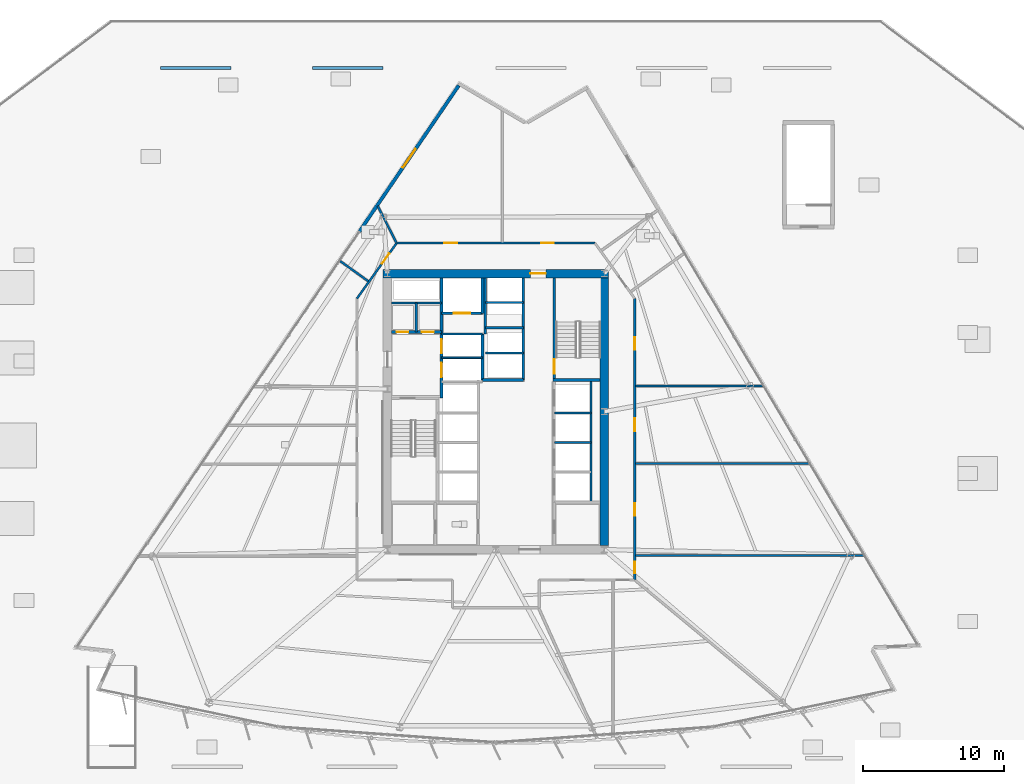
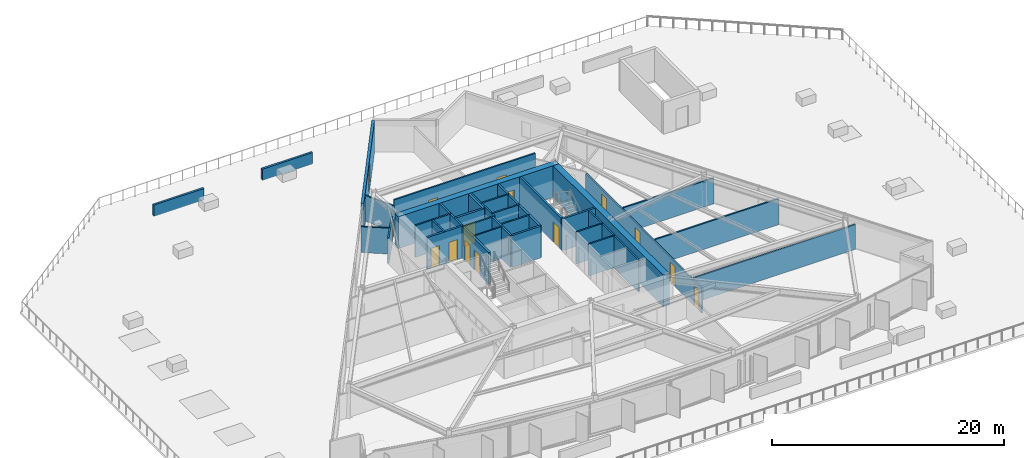
# One storey, part 9 of 19: 33 walls, 14 doors, 1 window, 15 openings.
"""IFC4 building model written with IfcOpenShell, lengths in metres."""

from ifc_helpers import new_model, si_unit, direction, frame, frame_2d, origin, place, context, subcontext, project, spatial, rectangle, extrude, material, layer, layer_set, type_object, element, fill, save


model = new_model("IFC4")

# Units and contexts
model_context = context("Model", 3, precision=1e-05, world=origin(), true_north=direction((0.0, 1.0)))
body_context = subcontext(model_context, "Body", "Model", "MODEL_VIEW")
ifc_project = project(units=[si_unit("LENGTHUNIT", "METRE"), si_unit("AREAUNIT", "SQUARE_METRE"), si_unit("VOLUMEUNIT", "CUBIC_METRE"), si_unit("PLANEANGLEUNIT", "RADIAN"), si_unit("MASSUNIT", "GRAM", prefix="KILO")], contexts=[model_context])

# Site, building, storey
site_placement = place(None, origin())
site = spatial("IfcSite", under=ifc_project, at=site_placement, CompositionType="ELEMENT")
building_placement = place(site_placement, origin())
building = spatial("IfcBuilding", under=site, at=building_placement, Name="Savorim Split Tower", CompositionType="ELEMENT")
storey_placement = place(building_placement, frame((0.0, 0.0, 26.39990234375)))
storey = spatial("IfcBuildingStorey", under=building, at=storey_placement, Name="L06", CompositionType="ELEMENT", Elevation=26.39990234375)

# Wall, opening, door
ifc_material_1 = material(Name="Concrete C60/75", Category="concrete")
ifc_layer_1 = layer(ifc_material_1, 0.60009765625)
ifc_layer_set_1 = layer_set([ifc_layer_1], Name="WAL-COR-SH600")
wall_type_1 = type_object("IfcWallType", Name="WAL-COR-SH600", PredefinedType="SHEAR", material=ifc_layer_set_1)
wall_1_placement = place(storey_placement, frame((8.0, 10.199951171875, 0.0), z_axis=(0.0, 0.0, 1.0), x_axis=(-1.0, 0.0, 0.0)))
wall_1 = element("IfcWall", 1, at=wall_1_placement, inside=storey, type_object=wall_type_1, Name="L06 Offset Core North Shear Wall", PredefinedType="SHEAR", context=body_context, shape_type="SweptSolid", body=[
    extrude(rectangle(XDim=16.0, YDim=0.60009765625, at=frame_2d((8.0, 0.0))), origin(), (0.0, 0.0, 1.0), 3.35009765625),
])
opening_1_placement = place(wall_1_placement, frame((4.449951171875, 0.0, 0.0)))
opening_1 = element("IfcOpeningElement", 2, at=opening_1_placement, cuts=wall_1, Name="Opening DI-03", PredefinedType="OPENING", context=body_context, shape_type="SweptSolid", body=[
    extrude(rectangle(XDim=1.10009765625, YDim=2.14990234375, at=frame_2d((0.550048828125, 1.074951171875))), frame((0.0, 0.31005859375, 0.0), z_axis=(0.0, -1.0, 0.0), x_axis=(1.0, 0.0, 0.0)), (0.0, 0.0, 1.0), 0.6201171875),
])
ifc_material_2 = material(Name="Timber Fire Door Leaf", Category="wood")
door_type_1 = type_object("IfcDoorType", Name="DOR-FIR-1100", OperationType="NOTDEFINED", PredefinedType="DOOR", material=ifc_material_2)
door_1_placement = place(opening_1_placement, origin())
door_1 = element("IfcDoor", 3, at=door_1_placement, inside=storey, type_object=door_type_1, Name="DOR-L06-COR-NLOB - L06 North Corridor Lobby Fire Door", OperationType="SINGLE_SWING_LEFT", OverallHeight=2.14990234375, OverallWidth=1.10009765625, PredefinedType="DOOR", context=body_context, shape_type="SweptSolid", body=[
    extrude(rectangle(XDim=1.10009765625, YDim=2.14990234375, at=frame_2d((0.550048828125, 1.074951171875))), frame((0.0, 0.02490234375, 0.0), z_axis=(0.0, -1.0, 0.0), x_axis=(1.0, 0.0, 0.0)), (0.0, 0.0, 1.0), 0.050048828125),
])
fill(opening_1, door_1)

# Wall
wall_2_placement = place(storey_placement, frame((7.699951171875, 9.89990234375, 0.0), z_axis=(0.0, 0.0, 1.0), x_axis=(0.0, -1.0, 0.0)))
element("IfcWall", 4, at=wall_2_placement, inside=storey, type_object=wall_type_1, Name="L06 Offset Core East Shear Wall", PredefinedType="SHEAR", context=body_context, shape_type="SweptSolid", body=[
    extrude(rectangle(XDim=19.0, YDim=0.60009765625, at=frame_2d((9.5, 0.0))), origin(), (0.0, 0.0, 1.0), 3.35009765625),
])

# Wall, opening, window
ifc_material_3 = material(Name="Precast concrete C40/50", Category="concrete")
ifc_layer_2 = layer(ifc_material_3, 0.25)
ifc_layer_set_2 = layer_set([ifc_layer_2], Name="WAL-EXT-SPN250")
wall_type_2 = type_object("IfcWallType", Name="WAL-EXT-SPN250", PredefinedType="SOLIDWALL", material=ifc_layer_set_2)
wall_3_placement = place(storey_placement, frame((-9.68408203125, 13.19091796875, 0.0), z_axis=(0.0, 0.0, 1.0), x_axis=(0.562473549685, 0.826815279192, 0.0)))
wall_3 = element("IfcWall", 5, at=wall_3_placement, inside=storey, type_object=wall_type_2, Name="L06 West Operable Window Pier", PredefinedType="SOLIDWALL", context=body_context, shape_type="SweptSolid", body=[
    extrude(rectangle(XDim=12.53564453125, YDim=0.25, at=frame_2d((6.267822265625, 0.0))), origin(), (0.0, 0.0, 1.0), 3.35009765625),
])
opening_2_placement = place(wall_3_placement, frame((5.468017578125, 0.0, 0.6201171875)))
opening_2 = element("IfcOpeningElement", 6, at=opening_2_placement, cuts=wall_3, Name="Opening WN-05", PredefinedType="OPENING", context=body_context, shape_type="SweptSolid", body=[
    extrude(rectangle(XDim=1.60009765625, YDim=2.10009765625, at=frame_2d((0.800048828125, 1.050048828125))), frame((0.0, 0.135009765625, 0.0), z_axis=(0.0, -1.0, 0.0), x_axis=(1.0, 0.0, 0.0)), (0.0, 0.0, 1.0), 0.27001953125),
])
ifc_material_4 = material(Name="Low-E Operable Double Glazing", Category="glass")
window_type = type_object("IfcWindowType", Name="WIN-TWR-1600x2100", PartitioningType="DOUBLE_PANEL_VERTICAL", PredefinedType="WINDOW", material=ifc_material_4)
window_placement = place(opening_2_placement, origin())
window = element("IfcWindow", 7, at=window_placement, inside=storey, type_object=window_type, Name="L06 West Operable Ventilation Window", OverallHeight=2.10009765625, OverallWidth=1.60009765625, PartitioningType="SINGLE_PANEL", PredefinedType="WINDOW", context=body_context, shape_type="SweptSolid", body=[
    extrude(rectangle(XDim=1.60009765625, YDim=2.10009765625, at=frame_2d((0.800048828125, 1.050048828125))), frame((0.0, 0.030029296875, 0.0), z_axis=(0.0, -1.0, 0.0), x_axis=(1.0, 0.0, 0.0)), (0.0, 0.0, 1.0), 0.06005859375),
])
fill(opening_2, window)

# Wall, openings, doors
ifc_material_5 = material(Name="Concrete C50/60", Category="concrete")
ifc_layer_3 = layer(ifc_material_5, 0.199951171875)
ifc_layer_set_3 = layer_set([ifc_layer_3], Name="WAL-INT-RC200")
wall_type_3 = type_object("IfcWallType", Name="WAL-INT-RC200", PredefinedType="SOLIDWALL", material=ifc_layer_set_3)
wall_4_placement = place(storey_placement, frame((-3.85009765625, 1.35009765625, 0.0), z_axis=(0.0, 0.0, 1.0), x_axis=(0.0, 1.0, 0.0)))
wall_4 = element("IfcWall", 8, at=wall_4_placement, inside=storey, type_object=wall_type_3, Name="L06 Partition W-L06-CR03", PredefinedType="SOLIDWALL", context=body_context, shape_type="SweptSolid", body=[
    extrude(rectangle(XDim=8.544921875, YDim=0.199951171875, at=frame_2d((4.2724609375, 0.0))), origin(), (0.0, 0.0, 1.0), 3.35009765625),
])
opening_3_placement = place(wall_4_placement, frame((1.5, 0.0, 0.0)))
opening_3 = element("IfcOpeningElement", 9, at=opening_3_placement, cuts=wall_4, Name="Opening LD-FFL", PredefinedType="OPENING", context=body_context, shape_type="SweptSolid", body=[
    extrude(rectangle(XDim=1.0, YDim=2.14990234375, at=frame_2d((0.5, 1.074951171875))), frame((0.0, 0.10986328125, 0.0), z_axis=(0.0, -1.0, 0.0), x_axis=(1.0, 0.0, 0.0)), (0.0, 0.0, 1.0), 0.219970703125),
])
opening_4_placement = place(wall_4_placement, frame((3.179931640625, 0.0, 0.0)))
opening_4 = element("IfcOpeningElement", 10, at=opening_4_placement, cuts=wall_4, Name="Opening LD-FFL", PredefinedType="OPENING", context=body_context, shape_type="SweptSolid", body=[
    extrude(rectangle(XDim=1.0, YDim=2.14990234375, at=frame_2d((0.5, 1.074951171875))), frame((0.0, 0.10986328125, 0.0), z_axis=(0.0, -1.0, 0.0), x_axis=(1.0, 0.0, 0.0)), (0.0, 0.0, 1.0), 0.219970703125),
])
ifc_material_6 = material(Name="Charcoal Anodised Aluminium", Category="aluminium")
door_type_2 = type_object("IfcDoorType", Name="DOR-SLD-LD1000", OperationType="NOTDEFINED", PredefinedType="DOOR", material=ifc_material_6)
door_2_placement = place(opening_3_placement, origin())
door_2 = element("IfcDoor", 11, at=door_2_placement, inside=storey, type_object=door_type_2, Name="DR-L06-LD-FFL1 - L06 Firefighting Lift FFL-1 Sliding Landing Door", OperationType="DOUBLE_DOOR_SLIDING", OverallHeight=2.14990234375, OverallWidth=1.0, PredefinedType="DOOR", context=body_context, shape_type="SweptSolid", body=[
    extrude(rectangle(XDim=1.0, YDim=2.14990234375, at=frame_2d((0.5, 1.074951171875))), frame((0.0, 0.02490234375, 0.0), z_axis=(0.0, -1.0, 0.0), x_axis=(1.0, 0.0, 0.0)), (0.0, 0.0, 1.0), 0.050048828125),
])
fill(opening_3, door_2)
door_3_placement = place(opening_4_placement, origin())
door_3 = element("IfcDoor", 12, at=door_3_placement, inside=storey, type_object=door_type_2, Name="DR-L06-LD-FFL2 - L06 Firefighting Lift FFL-2 Sliding Landing Door", OperationType="DOUBLE_DOOR_SLIDING", OverallHeight=2.14990234375, OverallWidth=1.0, PredefinedType="DOOR", context=body_context, shape_type="SweptSolid", body=[
    extrude(rectangle(XDim=1.0, YDim=2.14990234375, at=frame_2d((0.5, 1.074951171875))), frame((0.0, 0.02490234375, 0.0), z_axis=(0.0, -1.0, 0.0), x_axis=(1.0, 0.0, 0.0)), (0.0, 0.0, 1.0), 0.050048828125),
])
fill(opening_4, door_3)

wall_5_placement = place(storey_placement, frame((-7.39501953125, 6.050048828125, 0.0), z_axis=(0.0, 0.0, 1.0), x_axis=(1.0, 0.0, 0.0)))
wall_5 = element("IfcWall", 13, at=wall_5_placement, inside=storey, type_object=wall_type_3, Name="L06 Partition W-L06-CR04", PredefinedType="SOLIDWALL", context=body_context, shape_type="SweptSolid", body=[
    extrude(rectangle(XDim=3.544921875, YDim=0.199951171875, at=frame_2d((1.7724609375, 0.0))), origin(), (0.0, 0.0, 1.0), 3.35009765625),
])
opening_5_placement = place(wall_5_placement, frame((0.344970703125, 0.0, 0.0)))
opening_5 = element("IfcOpeningElement", 14, at=opening_5_placement, cuts=wall_5, Name="Opening DI-12", PredefinedType="OPENING", context=body_context, shape_type="SweptSolid", body=[
    extrude(rectangle(XDim=0.85009765625, YDim=2.10009765625, at=frame_2d((0.425048828125, 1.050048828125))), frame((0.0, 0.10986328125, 0.0), z_axis=(0.0, -1.0, 0.0), x_axis=(1.0, 0.0, 0.0)), (0.0, 0.0, 1.0), 0.219970703125),
])
opening_6_placement = place(wall_5_placement, frame((2.14501953125, 0.0, 0.0)))
opening_6 = element("IfcOpeningElement", 15, at=opening_6_placement, cuts=wall_5, Name="Opening DI-12", PredefinedType="OPENING", context=body_context, shape_type="SweptSolid", body=[
    extrude(rectangle(XDim=0.85009765625, YDim=2.10009765625, at=frame_2d((0.425048828125, 1.050048828125))), frame((0.0, 0.10986328125, 0.0), z_axis=(0.0, -1.0, 0.0), x_axis=(1.0, 0.0, 0.0)), (0.0, 0.0, 1.0), 0.219970703125),
])
ifc_material_7 = material(Name="Galvanised Painted Steel Balustrade", Category="steel")
door_type_3 = type_object("IfcDoorType", Name="DOR-RIS-850", OperationType="NOTDEFINED", PredefinedType="DOOR", material=ifc_material_7)
door_4_placement = place(opening_5_placement, origin())
door_4 = element("IfcDoor", 16, at=door_4_placement, inside=storey, type_object=door_type_3, Name="DR-L06-ELR - L06 Electrical Riser Access Door", OperationType="SINGLE_SWING_RIGHT", OverallHeight=2.10009765625, OverallWidth=0.85009765625, PredefinedType="DOOR", context=body_context, shape_type="SweptSolid", body=[
    extrude(rectangle(XDim=0.85009765625, YDim=2.10009765625, at=frame_2d((0.425048828125, 1.050048828125))), frame((0.0, 0.02490234375, 0.0), z_axis=(0.0, -1.0, 0.0), x_axis=(1.0, 0.0, 0.0)), (0.0, 0.0, 1.0), 0.050048828125),
])
fill(opening_5, door_4)
door_5_placement = place(opening_6_placement, origin())
door_5 = element("IfcDoor", 17, at=door_5_placement, inside=storey, type_object=door_type_3, Name="DR-L06-TLR - L06 Telecom Riser Access Door", OperationType="SINGLE_SWING_LEFT", OverallHeight=2.10009765625, OverallWidth=0.85009765625, PredefinedType="DOOR", context=body_context, shape_type="SweptSolid", body=[
    extrude(rectangle(XDim=0.85009765625, YDim=2.10009765625, at=frame_2d((0.425048828125, 1.050048828125))), frame((0.0, 0.02490234375, 0.0), z_axis=(0.0, -1.0, 0.0), x_axis=(1.0, 0.0, 0.0)), (0.0, 0.0, 1.0), 0.050048828125),
])
fill(opening_6, door_5)

# Wall, opening, door
wall_6_placement = place(storey_placement, frame((4.14990234375, 2.75, 0.0), z_axis=(0.0, 0.0, 1.0), x_axis=(0.0, 1.0, 0.0)))
wall_6 = element("IfcWall", 18, at=wall_6_placement, inside=storey, type_object=wall_type_3, Name="L06 Structural Shaft Wall W-L06-CR07", PredefinedType="SOLIDWALL", context=body_context, shape_type="SweptSolid", body=[
    extrude(rectangle(XDim=7.14990234375, YDim=0.199951171875, at=frame_2d((3.574951171875, 0.0))), origin(), (0.0, 0.0, 1.0), 3.35009765625),
])
opening_7_placement = place(wall_6_placement, frame((0.35009765625, 0.0, 0.0)))
opening_7 = element("IfcOpeningElement", 19, at=opening_7_placement, cuts=wall_6, Name="Opening DI-04", PredefinedType="OPENING", context=body_context, shape_type="SweptSolid", body=[
    extrude(rectangle(XDim=1.0, YDim=2.14990234375, at=frame_2d((0.5, 1.074951171875))), frame((0.0, 0.10986328125, 0.0), z_axis=(0.0, -1.0, 0.0), x_axis=(1.0, 0.0, 0.0)), (0.0, 0.0, 1.0), 0.219970703125),
])
door_type_4 = type_object("IfcDoorType", Name="DOR-FIR-1000", OperationType="NOTDEFINED", PredefinedType="DOOR", material=ifc_material_2)
door_6_placement = place(opening_7_placement, origin())
door_6 = element("IfcDoor", 20, at=door_6_placement, inside=storey, type_object=door_type_4, Name="DR-L06-ST2 - L06 Stair ST-2 Enclosure Door", OperationType="SINGLE_SWING_RIGHT", OverallHeight=2.14990234375, OverallWidth=1.0, PredefinedType="DOOR", context=body_context, shape_type="SweptSolid", body=[
    extrude(rectangle(XDim=1.0, YDim=2.14990234375, at=frame_2d((0.5, 1.074951171875))), frame((0.0, 0.02490234375, 0.0), z_axis=(0.0, -1.0, 0.0), x_axis=(1.0, 0.0, 0.0)), (0.0, 0.0, 1.0), 0.050048828125),
])
fill(opening_7, door_6)

# Walls
wall_7_placement = place(storey_placement, frame((4.050048828125, 2.64990234375, 0.0), z_axis=(0.0, 0.0, 1.0), x_axis=(1.0, 0.0, 0.0)))
element("IfcWall", 21, at=wall_7_placement, inside=storey, type_object=wall_type_3, Name="L06 Structural Shaft Wall W-L06-CR08", PredefinedType="SOLIDWALL", context=body_context, shape_type="SweptSolid", body=[
    extrude(rectangle(XDim=3.349853515625, YDim=0.199951171875, at=frame_2d((1.6748046875, 0.0))), origin(), (0.0, 0.0, 1.0), 3.35009765625),
])
wall_8_placement = place(storey_placement, frame((-0.949951171875, 2.64990234375, 0.0), z_axis=(0.0, 0.0, 1.0), x_axis=(0.0, 1.0, 0.0)))
element("IfcWall", 22, at=wall_8_placement, inside=storey, type_object=wall_type_3, Name="L06 Partition W-L06-FFLW", PredefinedType="SOLIDWALL", context=body_context, shape_type="SweptSolid", body=[
    extrude(rectangle(XDim=3.27001953125, YDim=0.199951171875, at=frame_2d((1.635009765625, 0.0))), origin(), (0.0, 0.0, 1.0), 3.35009765625),
])

# Wall, opening, door
wall_9_placement = place(storey_placement, frame((-3.85009765625, 7.3798828125, 0.0), z_axis=(0.0, 0.0, 1.0), x_axis=(1.0, 0.0, 0.0)))
wall_9 = element("IfcWall", 23, at=wall_9_placement, inside=storey, type_object=wall_type_3, Name="L06 Partition W-L06-SVLS", PredefinedType="SOLIDWALL", context=body_context, shape_type="SweptSolid", body=[
    extrude(rectangle(XDim=2.900146484375, YDim=0.199951171875, at=frame_2d((1.4501953125, 0.0))), origin(), (0.0, 0.0, 1.0), 3.35009765625),
])
opening_8_placement = place(wall_9_placement, frame((0.85009765625, 0.0, 0.0)))
opening_8 = element("IfcOpeningElement", 24, at=opening_8_placement, cuts=wall_9, Name="Opening LD-SV", PredefinedType="OPENING", context=body_context, shape_type="SweptSolid", body=[
    extrude(rectangle(XDim=1.199951171875, YDim=2.199951171875, at=frame_2d((0.60009765625, 1.10009765625))), frame((0.0, 0.10986328125, 0.0), z_axis=(0.0, -1.0, 0.0), x_axis=(1.0, 0.0, 0.0)), (0.0, 0.0, 1.0), 0.219970703125),
])
door_type_5 = type_object("IfcDoorType", Name="DOR-SLD-SV1200", OperationType="NOTDEFINED", PredefinedType="DOOR", material=ifc_material_6)
door_7_placement = place(opening_8_placement, origin())
door_7 = element("IfcDoor", 25, at=door_7_placement, inside=storey, type_object=door_type_5, Name="DR-L06-LD-SVL1 - L06 Service Lift SVL-1 Sliding Landing Door", OperationType="DOUBLE_DOOR_SLIDING", OverallHeight=2.199951171875, OverallWidth=1.199951171875, PredefinedType="DOOR", context=body_context, shape_type="SweptSolid", body=[
    extrude(rectangle(XDim=1.199951171875, YDim=2.199951171875, at=frame_2d((0.60009765625, 1.10009765625))), frame((0.0, 0.02490234375, 0.0), z_axis=(0.0, -1.0, 0.0), x_axis=(1.0, 0.0, 0.0)), (0.0, 0.0, 1.0), 0.050048828125),
])
fill(opening_8, door_7)

# Walls
wall_10_placement = place(storey_placement, frame((-0.949951171875, 7.3798828125, 0.0), z_axis=(0.0, 0.0, 1.0), x_axis=(0.0, 1.0, 0.0)))
element("IfcWall", 26, at=wall_10_placement, inside=storey, type_object=wall_type_3, Name="L06 Partition W-L06-SVLE", PredefinedType="SOLIDWALL", context=body_context, shape_type="SweptSolid", body=[
    extrude(rectangle(XDim=2.51513671875, YDim=0.199951171875, at=frame_2d((1.257568359375, 0.0))), origin(), (0.0, 0.0, 1.0), 3.35009765625),
])
wall_11_placement = place(storey_placement, frame((1.949951171875, 2.64990234375, 0.0), z_axis=(0.0, 0.0, 1.0), x_axis=(0.0, 1.0, 0.0)))
element("IfcWall", 27, at=wall_11_placement, inside=storey, type_object=wall_type_3, Name="L06 Partition W-L06-B3FRONT", PredefinedType="SOLIDWALL", context=body_context, shape_type="SweptSolid", body=[
    extrude(rectangle(XDim=7.2451171875, YDim=0.199951171875, at=frame_2d((3.62255859375, 0.0))), origin(), (0.0, 0.0, 1.0), 3.35009765625),
])
wall_12_placement = place(storey_placement, frame((-0.949951171875, 2.64990234375, 0.0), z_axis=(0.0, 0.0, 1.0), x_axis=(1.0, 0.0, 0.0)))
element("IfcWall", 28, at=wall_12_placement, inside=storey, type_object=wall_type_3, Name="L06 Partition W-L06-B3SOUTH", PredefinedType="SOLIDWALL", context=body_context, shape_type="SweptSolid", body=[
    extrude(rectangle(XDim=2.89990234375, YDim=0.199951171875, at=frame_2d((1.449951171875, 0.0))), origin(), (0.0, 0.0, 1.0), 3.35009765625),
])
ifc_material_8 = material(Name="Acoustic Gypsum Partition Board")
ifc_layer_4 = layer(ifc_material_8, 0.1201171875)
ifc_layer_set_4 = layer_set([ifc_layer_4], Name="WAL-PAR-120")
wall_type_4 = type_object("IfcWallType", Name="WAL-PAR-120", PredefinedType="PARTITIONING", material=ifc_layer_set_4)
wall_13_placement = place(storey_placement, frame((-3.85009765625, 4.219970703125, 0.0), z_axis=(0.0, 0.0, 1.0), x_axis=(1.0, 0.0, 0.0)))
element("IfcWall", 29, at=wall_13_placement, inside=storey, type_object=wall_type_4, Name="L06 Partition W-L06-FFLD1", PredefinedType="PARTITIONING", context=body_context, shape_type="SweptSolid", body=[
    extrude(rectangle(XDim=2.900146484375, YDim=0.1201171875, at=frame_2d((1.4501953125, 0.0))), origin(), (0.0, 0.0, 1.0), 3.35009765625),
])
ifc_layer_5 = layer(ifc_material_8, 0.14990234375)
ifc_layer_set_5 = layer_set([ifc_layer_5], Name="WAL-PAR-150")
wall_type_5 = type_object("IfcWallType", Name="WAL-PAR-150", PredefinedType="PARTITIONING", material=ifc_layer_set_5)
wall_14_placement = place(storey_placement, frame((-7.39501953125, 8.10009765625, 0.0), z_axis=(0.0, 0.0, 1.0), x_axis=(1.0, 0.0, 0.0)))
element("IfcWall", 30, at=wall_14_placement, inside=storey, type_object=wall_type_5, Name="L06 Partition W-L06-CR05", PredefinedType="PARTITIONING", context=body_context, shape_type="SweptSolid", body=[
    extrude(rectangle(XDim=3.544921875, YDim=0.14990234375, at=frame_2d((1.7724609375, 0.0))), origin(), (0.0, 0.0, 1.0), 3.35009765625),
])
wall_15_placement = place(storey_placement, frame((-5.64990234375, 6.050048828125, 0.0), z_axis=(0.0, 0.0, 1.0), x_axis=(0.0, 1.0, 0.0)))
element("IfcWall", 31, at=wall_15_placement, inside=storey, type_object=wall_type_5, Name="L06 Partition W-L06-CR06", PredefinedType="PARTITIONING", context=body_context, shape_type="SweptSolid", body=[
    extrude(rectangle(XDim=2.050048828125, YDim=0.14990234375, at=frame_2d((1.02490234375, 0.0))), origin(), (0.0, 0.0, 1.0), 3.35009765625),
])
wall_16_placement = place(storey_placement, frame((-3.85009765625, 5.89990234375, 0.0), z_axis=(0.0, 0.0, 1.0), x_axis=(1.0, 0.0, 0.0)))
element("IfcWall", 32, at=wall_16_placement, inside=storey, type_object=wall_type_5, Name="L06 Partition W-L06-FFLD2", PredefinedType="PARTITIONING", context=body_context, shape_type="SweptSolid", body=[
    extrude(rectangle(XDim=2.900146484375, YDim=0.14990234375, at=frame_2d((1.4501953125, 0.0))), origin(), (0.0, 0.0, 1.0), 3.35009765625),
])
wall_17_placement = place(storey_placement, frame((6.75, -6.050048828125, 0.0), z_axis=(0.0, 0.0, 1.0), x_axis=(0.0, 1.0, 0.0)))
element("IfcWall", 33, at=wall_17_placement, inside=storey, type_object=wall_type_5, Name="L06 Partition W-L06-B1BACK", PredefinedType="PARTITIONING", context=body_context, shape_type="SweptSolid", body=[
    extrude(rectangle(XDim=8.699951171875, YDim=0.14990234375, at=frame_2d((4.35009765625, 0.0))), origin(), (0.0, 0.0, 1.0), 3.35009765625),
])
for number, where, z_axis, x_axis, name in (
    (34, (4.14990234375, -1.800048828125, 0.0), (0.0, 0.0, 1.0), (1.0, 0.0, 0.0), "L06 Partition W-L06-B1DIV2"),
    (35, (4.14990234375, 0.300048828125, 0.0), (0.0, 0.0, 1.0), (1.0, 0.0, 0.0), "L06 Partition W-L06-B1DIV3"),
):
    element("IfcWall", number, at=place(storey_placement, frame(where, z_axis=z_axis, x_axis=x_axis)), inside=storey, type_object=wall_type_5, Name=name, PredefinedType="PARTITIONING", context=body_context, shape_type="SweptSolid", body=[
        extrude(rectangle(XDim=2.60009765625, YDim=0.14990234375, at=frame_2d((1.300048828125, 0.0))), origin(), (0.0, 0.0, 1.0), 3.35009765625),
    ])
wall_18_placement = place(storey_placement, frame((-0.75, 5.919921875, 0.0), z_axis=(0.0, 0.0, 1.0), x_axis=(0.0, 1.0, 0.0)))
element("IfcWall", 36, at=wall_18_placement, inside=storey, type_object=wall_type_5, Name="L06 Partition W-L06-B3WEST", PredefinedType="PARTITIONING", context=body_context, shape_type="SweptSolid", body=[
    extrude(rectangle(XDim=3.97509765625, YDim=0.14990234375, at=frame_2d((1.987548828125, 0.0))), origin(), (0.0, 0.0, 1.0), 3.35009765625),
])
for number, where, z_axis, x_axis, name in (
    (37, (-0.75, 4.550048828125, 0.0), (0.0, 0.0, 1.0), (1.0, 0.0, 0.0), "L06 Partition W-L06-B3DIV1"),
    (38, (-0.75, 6.35009765625, 0.0), (0.0, 0.0, 1.0), (1.0, 0.0, 0.0), "L06 Partition W-L06-B3DIV2"),
    (39, (-0.75, 8.14990234375, 0.0), (0.0, 0.0, 1.0), (1.0, 0.0, 0.0), "L06 Partition W-L06-B3DIV3"),
):
    element("IfcWall", number, at=place(storey_placement, frame(where, z_axis=z_axis, x_axis=x_axis)), inside=storey, type_object=wall_type_5, Name=name, PredefinedType="PARTITIONING", context=body_context, shape_type="SweptSolid", body=[
        extrude(rectangle(XDim=2.699951171875, YDim=0.14990234375, at=frame_2d((1.35009765625, 0.0))), origin(), (0.0, 0.0, 1.0), 3.35009765625),
    ])

# Wall, opening, door
wall_19_placement = place(storey_placement, frame((-9.860107421875, 8.42578125, 0.0), z_axis=(0.0, 0.0, 1.0), x_axis=(0.582449511476, 0.812866881218, 0.0)))
wall_19 = element("IfcWall", 40, at=wall_19_placement, inside=storey, type_object=wall_type_5, Name="L06 Partition W-L06-COR-02", PredefinedType="PARTITIONING", context=body_context, shape_type="SweptSolid", body=[
    extrude(rectangle(XDim=4.840087890625, YDim=0.14990234375, at=frame_2d((2.419921875, 0.0))), origin(), (0.0, 0.0, 1.0), 2.72509765625),
])
opening_9_placement = place(wall_19_placement, frame((3.03515625, 0.0, 0.0)))
opening_9 = element("IfcOpeningElement", 41, at=opening_9_placement, cuts=wall_19, Name="Opening DI-11", PredefinedType="OPENING", context=body_context, shape_type="SweptSolid", body=[
    extrude(rectangle(XDim=0.89990234375, YDim=2.10009765625, at=frame_2d((0.449951171875, 1.050048828125))), frame((0.0, 0.0849609375, 0.0), z_axis=(0.0, -1.0, 0.0), x_axis=(1.0, 0.0, 0.0)), (0.0, 0.0, 1.0), 0.169921875),
])
ifc_material_9 = material(Name="Oak Veneer Acoustic Door")
door_type_6 = type_object("IfcDoorType", Name="DOR-WC-900", OperationType="NOTDEFINED", PredefinedType="DOOR", material=ifc_material_9)
door_8_placement = place(opening_9_placement, origin())
door_8 = element("IfcDoor", 42, at=door_8_placement, inside=storey, type_object=door_type_6, Name="DR-L06-RM13 - L06 Shared Bathroom Entry Door", OperationType="SINGLE_SWING_RIGHT", OverallHeight=2.10009765625, OverallWidth=0.89990234375, PredefinedType="DOOR", context=body_context, shape_type="SweptSolid", body=[
    extrude(rectangle(XDim=0.89990234375, YDim=2.10009765625, at=frame_2d((0.449951171875, 1.050048828125))), frame((0.0, 0.02490234375, 0.0), z_axis=(0.0, -1.0, 0.0), x_axis=(1.0, 0.0, 0.0)), (0.0, 0.0, 1.0), 0.050048828125),
])
fill(opening_9, door_8)

# Wall, openings, doors
wall_20_placement = place(storey_placement, frame((-7.041015625, 12.360107421875, 0.0), z_axis=(0.0, 0.0, 1.0), x_axis=(1.0, 0.0, 0.0)))
wall_20 = element("IfcWall", 43, at=wall_20_placement, inside=storey, type_object=wall_type_5, Name="L06 Partition W-L06-COR-03", PredefinedType="PARTITIONING", context=body_context, shape_type="SweptSolid", body=[
    extrude(rectangle(XDim=14.08203125, YDim=0.14990234375, at=frame_2d((7.041015625, 0.0))), origin(), (0.0, 0.0, 1.0), 3.35009765625),
])
opening_10_placement = place(wall_20_placement, frame((10.25634765625, 0.0, 0.0)))
opening_10 = element("IfcOpeningElement", 44, at=opening_10_placement, cuts=wall_20, Name="Opening DI-06", PredefinedType="OPENING", context=body_context, shape_type="SweptSolid", body=[
    extrude(rectangle(XDim=0.89990234375, YDim=2.10009765625, at=frame_2d((0.449951171875, 1.050048828125))), frame((0.0, 0.0849609375, 0.0), z_axis=(0.0, -1.0, 0.0), x_axis=(1.0, 0.0, 0.0)), (0.0, 0.0, 1.0), 0.169921875),
])
opening_11_placement = place(wall_20_placement, frame((3.393310546875, 0.0, 0.0)))
opening_11 = element("IfcOpeningElement", 45, at=opening_11_placement, cuts=wall_20, Name="Opening DI-06", PredefinedType="OPENING", context=body_context, shape_type="SweptSolid", body=[
    extrude(rectangle(XDim=0.89990234375, YDim=2.10009765625, at=frame_2d((0.449951171875, 1.050048828125))), frame((0.0, 0.0849609375, 0.0), z_axis=(0.0, -1.0, 0.0), x_axis=(1.0, 0.0, 0.0)), (0.0, 0.0, 1.0), 0.169921875),
])
door_type_7 = type_object("IfcDoorType", Name="DOR-FIR-900", OperationType="NOTDEFINED", PredefinedType="DOOR", material=ifc_material_2)
door_9_placement = place(opening_10_placement, origin())
door_9 = element("IfcDoor", 46, at=door_9_placement, inside=storey, type_object=door_type_7, Name="DR-L06-RM11 - L06 Co-Working Commons Entry Door", OperationType="SINGLE_SWING_RIGHT", OverallHeight=2.10009765625, OverallWidth=0.89990234375, PredefinedType="DOOR", context=body_context, shape_type="SweptSolid", body=[
    extrude(rectangle(XDim=0.89990234375, YDim=2.10009765625, at=frame_2d((0.449951171875, 1.050048828125))), frame((0.0, 0.02490234375, 0.0), z_axis=(0.0, -1.0, 0.0), x_axis=(1.0, 0.0, 0.0)), (0.0, 0.0, 1.0), 0.050048828125),
])
fill(opening_10, door_9)
door_10_placement = place(opening_11_placement, origin())
door_10 = element("IfcDoor", 47, at=door_10_placement, inside=storey, type_object=door_type_7, Name="DR-L06-RM12 - L06 Maker Workshop Entry Door", OperationType="SINGLE_SWING_LEFT", OverallHeight=2.10009765625, OverallWidth=0.89990234375, PredefinedType="DOOR", context=body_context, shape_type="SweptSolid", body=[
    extrude(rectangle(XDim=0.89990234375, YDim=2.10009765625, at=frame_2d((0.449951171875, 1.050048828125))), frame((0.0, 0.02490234375, 0.0), z_axis=(0.0, -1.0, 0.0), x_axis=(1.0, 0.0, 0.0)), (0.0, 0.0, 1.0), 0.050048828125),
])
fill(opening_11, door_10)

wall_21_placement = place(storey_placement, frame((9.860107421875, 8.42578125, 0.0), z_axis=(0.0, 0.0, 1.0), x_axis=(0.0, -1.0, 0.0)))
wall_21 = element("IfcWall", 48, at=wall_21_placement, inside=storey, type_object=wall_type_5, Name="L06 Partition W-L06-COR-05", PredefinedType="PARTITIONING", context=body_context, shape_type="SweptSolid", body=[
    extrude(rectangle(XDim=19.98583984375, YDim=0.14990234375, at=frame_2d((9.992919921875, 0.0))), origin(), (0.0, 0.0, 1.0), 2.609130859375),
])
opening_12_placement = place(wall_21_placement, frame((18.669921875, 0.0, 0.0)))
opening_12 = element("IfcOpeningElement", 49, at=opening_12_placement, cuts=wall_21, Name="Opening DI-13", PredefinedType="OPENING", context=body_context, shape_type="SweptSolid", body=[
    extrude(rectangle(XDim=0.85009765625, YDim=2.10009765625, at=frame_2d((0.425048828125, 1.050048828125))), frame((0.0, 0.0849609375, 0.0), z_axis=(0.0, -1.0, 0.0), x_axis=(1.0, 0.0, 0.0)), (0.0, 0.0, 1.0), 0.169921875),
])
opening_13_placement = place(wall_21_placement, frame((14.52001953125, 0.0, 0.0)))
opening_13 = element("IfcOpeningElement", 50, at=opening_13_placement, cuts=wall_21, Name="Opening DI-06", PredefinedType="OPENING", context=body_context, shape_type="SweptSolid", body=[
    extrude(rectangle(XDim=0.89990234375, YDim=2.10009765625, at=frame_2d((0.449951171875, 1.050048828125))), frame((0.0, 0.0849609375, 0.0), z_axis=(0.0, -1.0, 0.0), x_axis=(1.0, 0.0, 0.0)), (0.0, 0.0, 1.0), 0.169921875),
])
opening_14_placement = place(wall_21_placement, frame((8.5068359375, 0.0, 0.0)))
opening_14 = element("IfcOpeningElement", 51, at=opening_14_placement, cuts=wall_21, Name="Opening DI-06", PredefinedType="OPENING", context=body_context, shape_type="SweptSolid", body=[
    extrude(rectangle(XDim=0.89990234375, YDim=2.10009765625, at=frame_2d((0.449951171875, 1.050048828125))), frame((0.0, 0.0849609375, 0.0), z_axis=(0.0, -1.0, 0.0), x_axis=(1.0, 0.0, 0.0)), (0.0, 0.0, 1.0), 0.169921875),
])
opening_15_placement = place(wall_21_placement, frame((2.7421875, 0.0, 0.0)))
opening_15 = element("IfcOpeningElement", 52, at=opening_15_placement, cuts=wall_21, Name="Opening DI-06", PredefinedType="OPENING", context=body_context, shape_type="SweptSolid", body=[
    extrude(rectangle(XDim=0.89990234375, YDim=2.10009765625, at=frame_2d((0.449951171875, 1.050048828125))), frame((0.0, 0.0849609375, 0.0), z_axis=(0.0, -1.0, 0.0), x_axis=(1.0, 0.0, 0.0)), (0.0, 0.0, 1.0), 0.169921875),
])
door_type_8 = type_object("IfcDoorType", Name="DOR-FIR-850", OperationType="NOTDEFINED", PredefinedType="DOOR", material=ifc_material_2)
door_11_placement = place(opening_12_placement, origin())
door_11 = element("IfcDoor", 53, at=door_11_placement, inside=storey, type_object=door_type_8, Name="DR-L06-RM06 - L06 Maker Workshop Entry Door", OperationType="SINGLE_SWING_LEFT", OverallHeight=2.10009765625, OverallWidth=0.85009765625, PredefinedType="DOOR", context=body_context, shape_type="SweptSolid", body=[
    extrude(rectangle(XDim=0.85009765625, YDim=2.10009765625, at=frame_2d((0.425048828125, 1.050048828125))), frame((0.0, 0.02490234375, 0.0), z_axis=(0.0, -1.0, 0.0), x_axis=(1.0, 0.0, 0.0)), (0.0, 0.0, 1.0), 0.050048828125),
])
fill(opening_12, door_11)
door_12_placement = place(opening_13_placement, origin())
door_12 = element("IfcDoor", 54, at=door_12_placement, inside=storey, type_object=door_type_7, Name="DR-L06-RM07 - L06 Co-Working Commons Entry Door", OperationType="SINGLE_SWING_RIGHT", OverallHeight=2.10009765625, OverallWidth=0.89990234375, PredefinedType="DOOR", context=body_context, shape_type="SweptSolid", body=[
    extrude(rectangle(XDim=0.89990234375, YDim=2.10009765625, at=frame_2d((0.449951171875, 1.050048828125))), frame((0.0, 0.02490234375, 0.0), z_axis=(0.0, -1.0, 0.0), x_axis=(1.0, 0.0, 0.0)), (0.0, 0.0, 1.0), 0.050048828125),
])
fill(opening_13, door_12)
door_13_placement = place(opening_14_placement, origin())
door_13 = element("IfcDoor", 55, at=door_13_placement, inside=storey, type_object=door_type_7, Name="DR-L06-RM08 - L06 Maker Workshop Entry Door", OperationType="SINGLE_SWING_LEFT", OverallHeight=2.10009765625, OverallWidth=0.89990234375, PredefinedType="DOOR", context=body_context, shape_type="SweptSolid", body=[
    extrude(rectangle(XDim=0.89990234375, YDim=2.10009765625, at=frame_2d((0.449951171875, 1.050048828125))), frame((0.0, 0.02490234375, 0.0), z_axis=(0.0, -1.0, 0.0), x_axis=(1.0, 0.0, 0.0)), (0.0, 0.0, 1.0), 0.050048828125),
])
fill(opening_14, door_13)
door_14_placement = place(opening_15_placement, origin())
door_14 = element("IfcDoor", 56, at=door_14_placement, inside=storey, type_object=door_type_7, Name="DR-L06-RM09 - L06 Communal Dining Hall Entry Door", OperationType="SINGLE_SWING_RIGHT", OverallHeight=2.10009765625, OverallWidth=0.89990234375, PredefinedType="DOOR", context=body_context, shape_type="SweptSolid", body=[
    extrude(rectangle(XDim=0.89990234375, YDim=2.10009765625, at=frame_2d((0.449951171875, 1.050048828125))), frame((0.0, 0.02490234375, 0.0), z_axis=(0.0, -1.0, 0.0), x_axis=(1.0, 0.0, 0.0)), (0.0, 0.0, 1.0), 0.050048828125),
])
fill(opening_15, door_14)

# Walls
wall_22_placement = place(storey_placement, frame((9.919921875, -9.806640625, 0.0), z_axis=(0.0, 0.0, 1.0), x_axis=(1.0, 0.0, 0.0)))
element("IfcWall", 57, at=wall_22_placement, inside=storey, type_object=wall_type_5, Name="L06 Partition W-L06-PRAD05", PredefinedType="PARTITIONING", context=body_context, shape_type="SweptSolid", body=[
    extrude(rectangle(XDim=16.177978515625, YDim=0.14990234375, at=frame_2d((8.0888671875, 0.0))), origin(), (0.0, 0.0, 1.0), 2.609130859375),
])
wall_23_placement = place(storey_placement, frame((9.919921875, 2.219482421875, 0.0), z_axis=(0.0, 0.0, 1.0), x_axis=(1.0, 0.0, 0.0)))
element("IfcWall", 58, at=wall_23_placement, inside=storey, type_object=wall_type_5, Name="L06 Partition W-L06-PRAD06", PredefinedType="PARTITIONING", context=body_context, shape_type="SweptSolid", body=[
    extrude(rectangle(XDim=9.02685546875, YDim=0.14990234375, at=frame_2d((4.513427734375, 0.0))), origin(), (0.0, 0.0, 1.0), 2.735107421875),
])
wall_24_placement = place(storey_placement, frame((-7.06396484375, 12.404296875, 0.0), z_axis=(0.0, 0.0, 1.0), x_axis=(-0.453724092979, 0.891142215053, 0.0)))
element("IfcWall", 59, at=wall_24_placement, inside=storey, type_object=wall_type_5, Name="L06 Partition W-L06-PRAD08", PredefinedType="PARTITIONING", context=body_context, shape_type="SweptSolid", body=[
    extrude(rectangle(XDim=2.919677734375, YDim=0.14990234375, at=frame_2d((1.4599609375, 0.0))), origin(), (0.0, 0.0, 1.0), 2.72509765625),
])
wall_25_placement = place(storey_placement, frame((9.919921875, -3.28173828125, 0.0), z_axis=(0.0, 0.0, 1.0), x_axis=(1.0, 0.0, 0.0)))
element("IfcWall", 60, at=wall_25_placement, inside=storey, type_object=wall_type_5, Name="L06 Partition W-L06-SUB03", PredefinedType="PARTITIONING", context=body_context, shape_type="SweptSolid", body=[
    extrude(rectangle(XDim=12.298095703125, YDim=0.14990234375, at=frame_2d((6.14892578125, 0.0))), origin(), (0.0, 0.0, 1.0), 2.735107421875),
])
wall_26_placement = place(storey_placement, frame((-9.053466796875, 9.654296875, 0.0), z_axis=(0.0, 0.0, 1.0), x_axis=(-0.812868003182, 0.58244794566, 0.0)))
element("IfcWall", 61, at=wall_26_placement, inside=storey, type_object=wall_type_5, Name="L06 Partition W-L06-SUB06", PredefinedType="PARTITIONING", context=body_context, shape_type="SweptSolid", body=[
    extrude(rectangle(XDim=2.46142578125, YDim=0.14990234375, at=frame_2d((1.230712890625, 0.0))), origin(), (0.0, 0.0, 1.0), 2.735107421875),
])
ifc_layer_6 = layer(ifc_material_5, 0.199951171875)
ifc_layer_set_6 = layer_set([ifc_layer_6], Name="WAL-PAR-UP200")
wall_type_6 = type_object("IfcWallType", Name="WAL-PAR-UP200", PredefinedType="PARAPET", material=ifc_layer_set_6)
for number, where, z_axis, x_axis, name in (
    (62, (-23.800048828125, 24.800048828125, -0.0498046875), (0.0, 0.0, 1.0), (1.0, 0.0, 0.0), "L06 Garden Terrace Planter Parapet 6"),
    (63, (-13.0, 24.800048828125, -0.0498046875), (0.0, 0.0, 1.0), (1.0, 0.0, 0.0), "L06 Garden Terrace Planter Parapet 7"),
):
    element("IfcWall", number, at=place(storey_placement, frame(where, z_axis=z_axis, x_axis=x_axis)), inside=storey, type_object=wall_type_6, Name=name, PredefinedType="PARAPET", context=body_context, shape_type="SweptSolid", body=[
        extrude(rectangle(XDim=5.0, YDim=0.199951171875, at=frame_2d((2.5, 0.0))), origin(), (0.0, 0.0, 1.0), 1.199951171875),
    ])

save(model, "model.ifc")
